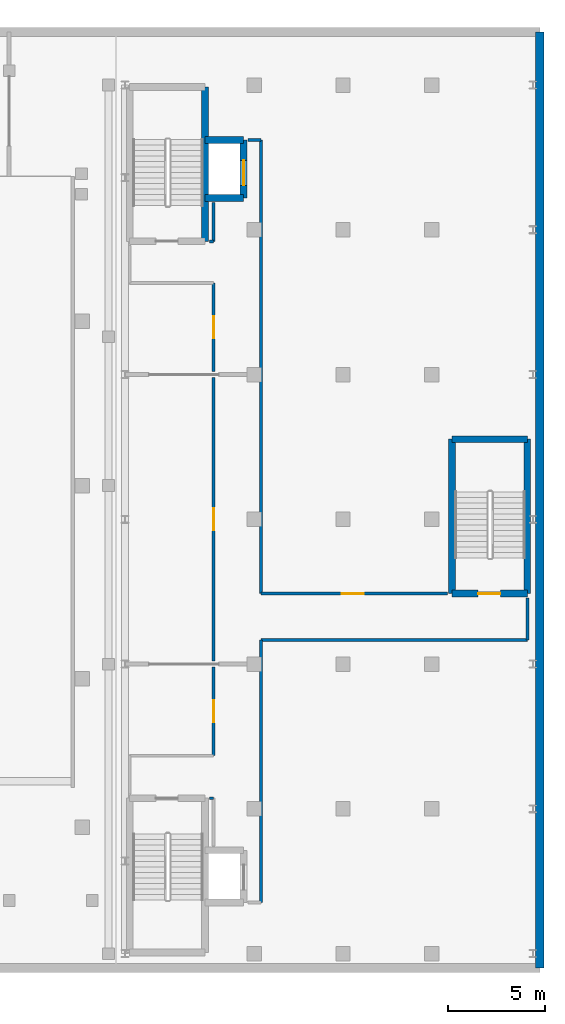
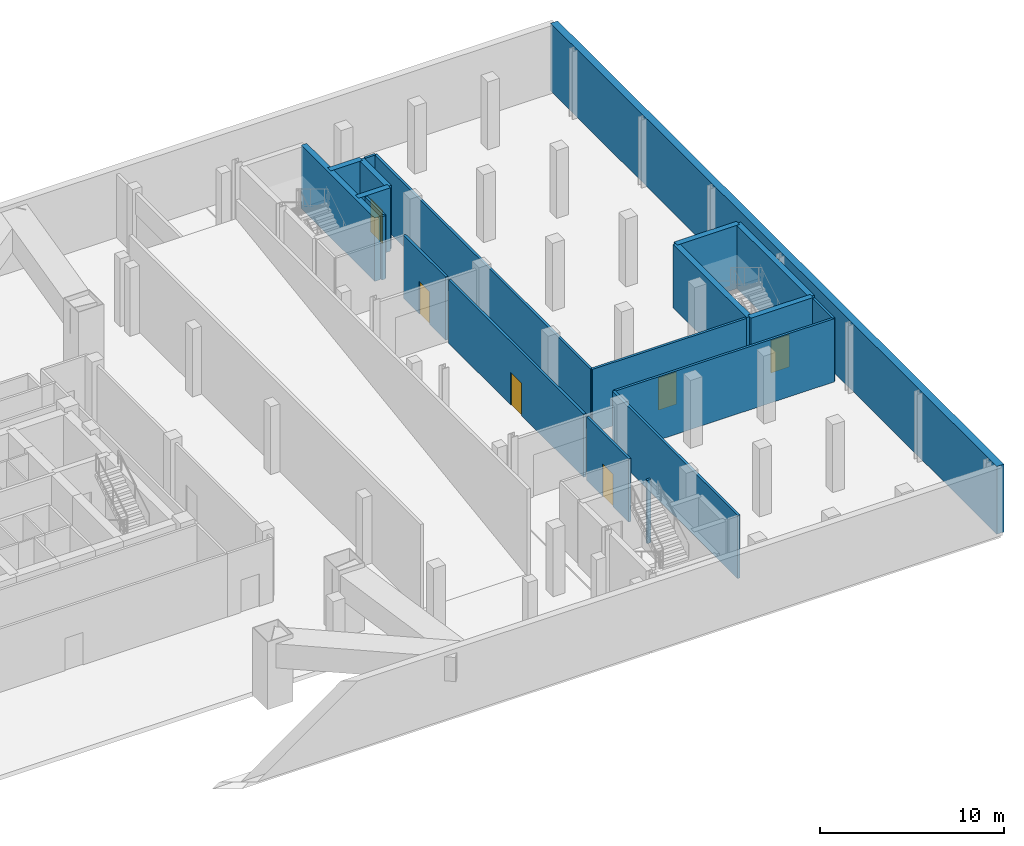
# One storey, part 10 of 14: 21 walls, 6 doors, 6 openings.
"""IFC4 building model written with IfcOpenShell, lengths in metres."""

import ifcopenshell
import ifcopenshell.guid

model = None  # the IFC model being written
_history = None  # IfcOwnerHistory: only IFC2X3 demands one
_inside = {}  # id of a spatial element -> (the spatial element, [elements in it])
_under = {}  # id of a project, library or spatial element -> (it, [spatial elements below it])
_declared = {}  # id of a project -> (the project, [libraries it declares])
_typed = {}  # id of a type object -> (the type object, [elements of that type])
_made_of = {}  # id of a material, layer set ... -> (it, [elements and type objects made of it])


def new_model(schema):
    """Start an empty IFC model of exactly this schema.

    Asked for "IFC4X3", IfcOpenShell would pick the latest addendum, in which some entities
    have other attributes; the version numbers below select the first issue.
    IFC2X3 requires an IfcOwnerHistory on every rooted entity: one is made here for all.
    """
    global model, _history
    if schema == "IFC4X3":
        model = ifcopenshell.file(schema_version=(4, 3, 0, 0))
    else:
        model = ifcopenshell.file(schema=schema)
    _inside.clear()
    _under.clear()
    _declared.clear()
    _typed.clear()
    _made_of.clear()
    _history = None
    if model.schema == "IFC2X3":
        org = make("IfcOrganization", Name="unknown")
        user = make(
            "IfcPersonAndOrganization",
            ThePerson=make("IfcPerson", FamilyName="unknown"),
            TheOrganization=org,
        )
        app = make(
            "IfcApplication",
            ApplicationDeveloper=org,
            Version="unknown",
            ApplicationFullName="unknown",
            ApplicationIdentifier="unknown",
        )
        _history = make(
            "IfcOwnerHistory",
            OwningUser=user,
            OwningApplication=app,
            ChangeAction="ADDED",
            CreationDate=0,
        )
    return model


def make(cls, **values):
    """One entity of the class cls with the attributes given. An attribute that is None is left unset."""
    return model.create_entity(
        cls, **{name: value for name, value in values.items() if value is not None}
    )


def rooted(cls, **values):
    """An entity with a GlobalId (a new one), such as an element, a storey or a relation."""
    return make(cls, GlobalId=ifcopenshell.guid.new(), OwnerHistory=_history, **values)


def si_unit(unit_type, name, prefix=None):
    """IfcSIUnit, for example si_unit("LENGTHUNIT", "METRE", prefix="MILLI")."""
    return make("IfcSIUnit", UnitType=unit_type, Prefix=prefix, Name=name)


def assignment(units):
    """IfcUnitAssignment: the units of a project."""
    return None if units is None else make("IfcUnitAssignment", Units=units)


def point(xyz):
    """IfcCartesianPoint."""
    return None if xyz is None else make("IfcCartesianPoint", Coordinates=xyz)


def direction(xyz):
    """IfcDirection."""
    return None if xyz is None else make("IfcDirection", DirectionRatios=xyz)


def frame(location, z_axis=None, x_axis=None):
    """IfcAxis2Placement3D, a coordinate frame: its origin and axes. An axis left out is left unset."""
    return make(
        "IfcAxis2Placement3D",
        Location=point(location),
        Axis=direction(z_axis),
        RefDirection=direction(x_axis),
    )


def frame_2d(location, x_axis=None):
    """IfcAxis2Placement2D, a coordinate frame in the plane: its origin and x axis."""
    return make(
        "IfcAxis2Placement2D", Location=point(location), RefDirection=direction(x_axis)
    )


def origin():
    """The frame at (0, 0, 0) with its axes left unset."""
    return frame((0.0, 0.0, 0.0))


def place(relative_to, where):
    """IfcLocalPlacement: puts the frame where relative to a parent placement (None: the world)."""
    return make(
        "IfcLocalPlacement", PlacementRelTo=relative_to, RelativePlacement=where
    )


def context(
    kind, dimensions, precision=None, world=None, true_north=None, identifier=None
):
    """IfcGeometricRepresentationContext, for example the 3D "Model" context."""
    return make(
        "IfcGeometricRepresentationContext",
        ContextIdentifier=identifier,
        ContextType=kind,
        CoordinateSpaceDimension=dimensions,
        Precision=precision,
        WorldCoordinateSystem=world,
        TrueNorth=true_north,
    )


def subcontext(parent, identifier, kind, view, scale=None):
    """IfcGeometricRepresentationSubContext, for example "Body" below "Model"."""
    return make(
        "IfcGeometricRepresentationSubContext",
        ContextIdentifier=identifier,
        ContextType=kind,
        ParentContext=parent,
        TargetScale=scale,
        TargetView=view,
    )


def project(units=None, contexts=None):
    """IfcProject with its units and contexts."""
    return rooted(
        "IfcProject",
        Name="project",
        RepresentationContexts=contexts,
        UnitsInContext=assignment(units),
    )


def spatial(cls, under=None, at=None, **own):
    """A site, building, storey or space (cls), placed at a placement, below another one or the project."""
    s = rooted(cls, ObjectPlacement=at, **own)
    if under is not None:
        _under.setdefault(under.id(), (under, []))[1].append(s)
    return s


def profile(cls, at=None, kind="AREA", **sizes):
    """A parametric profile (cls). Its sizes go by their IFC names, for example OverallWidth=200.0."""
    return make(cls, ProfileType=kind, Position=at, **sizes)


def rectangle(**sizes):
    """IfcRectangleProfileDef."""
    return profile("IfcRectangleProfileDef", **sizes)


def extrude(swept, where, along, depth):
    """IfcExtrudedAreaSolid: the profile swept, set in the frame where, extruded along a direction by depth."""
    return make(
        "IfcExtrudedAreaSolid",
        SweptArea=swept,
        Position=where,
        ExtrudedDirection=direction(along),
        Depth=depth,
    )


def shape(context_of_items, identifier, shape_type, items):
    """IfcShapeRepresentation: the items that make up one representation, for example the "Body"."""
    return make(
        "IfcShapeRepresentation",
        ContextOfItems=context_of_items,
        RepresentationIdentifier=identifier,
        RepresentationType=shape_type,
        Items=items,
    )


def material(Name=None, Category=None):
    """IfcMaterial."""
    return make("IfcMaterial", Name=Name, Category=Category)


def layer(
    of_material, thickness, ventilated=None, Name=None, Category=None, Priority=None
):
    """IfcMaterialLayer: one layer of a wall or slab, of a material (None: an air gap)."""
    return make(
        "IfcMaterialLayer",
        Material=of_material,
        LayerThickness=thickness,
        IsVentilated=ventilated,
        Name=Name,
        Category=Category,
        Priority=Priority,
    )


def layer_set(layers, Name=None):
    """IfcMaterialLayerSet."""
    return make("IfcMaterialLayerSet", MaterialLayers=layers, LayerSetName=Name)


def made_of(thing, what):
    """Note that an element or type object is made of a material, layer set ...; save() writes the relation."""
    if what is not None:
        _made_of.setdefault(what.id(), (what, []))[1].append(thing)
    return thing


def type_object(cls, material=None, **own):
    """A type object (cls), such as IfcWallType, which elements share."""
    return made_of(rooted(cls, **own), material)


def element(
    cls,
    number,
    at=None,
    inside=None,
    cuts=None,
    type_object=None,
    material=None,
    context=None,
    identifier="Body",
    shape_type=None,
    held_by="IfcProductDefinitionShape",
    body=None,
    shapes=None,
    **own,
):
    """One element of the class cls, such as IfcWall. Its Tag is "e" and its number.

    at: its placement. inside: the storey or other place that contains it. cuts: it is an
    opening in that element (IfcRelVoidsElement). A single representation is given by context,
    identifier, shape_type and body (its items); several are given by shapes. held_by: the class
    of the entity that holds the representations. save() writes the other relations.
    """
    e = rooted(cls, Tag="e%d" % number, ObjectPlacement=at, **own)
    if body is not None:
        shapes = [shape(context, identifier, shape_type, body)]
    if shapes is not None:
        e.Representation = make(held_by, Representations=shapes)
    if inside is not None:
        _inside.setdefault(inside.id(), (inside, []))[1].append(e)
    if cuts is not None:
        rooted(
            "IfcRelVoidsElement", RelatingBuildingElement=cuts, RelatedOpeningElement=e
        )
    if type_object is not None:
        _typed.setdefault(type_object.id(), (type_object, []))[1].append(e)
    return made_of(e, material)


def fill(opening, filler):
    """IfcRelFillsElement: the door or window that sits in an opening."""
    return rooted(
        "IfcRelFillsElement",
        RelatingOpeningElement=opening,
        RelatedBuildingElement=filler,
    )


def aggregate(whole, parts):
    """IfcRelAggregates: a whole, such as a stair, and the parts it consists of."""
    return rooted("IfcRelAggregates", RelatingObject=whole, RelatedObjects=parts)


def save(model, path):
    """Write the relations noted so far, then the file.

    IfcRelAggregates (storeys below a building ...), IfcRelContainedInSpatialStructure (elements
    in a storey), IfcRelDefinesByType, IfcRelAssociatesMaterial and IfcRelDeclares: one each for
    every whole, place, type object, material and project.
    """
    for whole, parts in _under.values():
        aggregate(whole, parts)
    for where, things in _inside.values():
        rooted(
            "IfcRelContainedInSpatialStructure",
            RelatedElements=things,
            RelatingStructure=where,
        )
    for kind, things in _typed.values():
        rooted("IfcRelDefinesByType", RelatedObjects=things, RelatingType=kind)
    for what, things in _made_of.values():
        rooted("IfcRelAssociatesMaterial", RelatedObjects=things, RelatingMaterial=what)
    for by, libraries in _declared.values():
        rooted("IfcRelDeclares", RelatingContext=by, RelatedDefinitions=libraries)
    model.write(path)


model = new_model("IFC4")

# Units and contexts
model_context = context("Model", 3, precision=1e-05, world=origin(), true_north=direction((0.0, 1.0)))
body_context = subcontext(model_context, "Body", "Model", "MODEL_VIEW")
ifc_project = project(units=[si_unit("LENGTHUNIT", "METRE"), si_unit("AREAUNIT", "SQUARE_METRE"), si_unit("VOLUMEUNIT", "CUBIC_METRE"), si_unit("PLANEANGLEUNIT", "RADIAN"), si_unit("MASSUNIT", "GRAM", prefix="KILO")], contexts=[model_context])

# Site, building, storey
site_placement = place(None, origin())
site = spatial("IfcSite", under=ifc_project, at=site_placement, CompositionType="ELEMENT")
building_placement = place(site_placement, origin())
building = spatial("IfcBuilding", under=site, at=building_placement, Name="Mersakhor Tower and Convention Hall", CompositionType="ELEMENT")
storey_placement = place(building_placement, frame((0.0, 0.0, -4.5)))
storey = spatial("IfcBuildingStorey", under=building, at=storey_placement, Name="B01", CompositionType="ELEMENT", Elevation=-4.5)

# Walls
ifc_material_1 = material(Name="Fire-rated gypsum board stud partition", Category="other")
ifc_layer_1 = layer(ifc_material_1, 0.14990234375)
ifc_layer_set_1 = layer_set([ifc_layer_1], Name="Fire-rated gypsum board stud partition")
wall_type_1 = type_object("IfcWallType", Name="WL-PRT-150", PredefinedType="PARTITIONING", material=ifc_layer_set_1)
wall_1_placement = place(storey_placement, frame((59.875, 40.14990234375, 0.0), z_axis=(0.0, 0.0, 1.0), x_axis=(1.0, 0.0, 0.0)))
element("IfcWall", 1, at=wall_1_placement, inside=storey, type_object=wall_type_1, Name="B01 Interior Partition Wall P-037", PredefinedType="PARTITIONING", context=body_context, shape_type="SweptSolid", body=[
    extrude(rectangle(XDim=0.22509765625, YDim=0.14990234375, at=frame_2d((0.112548828125, 0.0))), origin(), (0.0, 0.0, 1.0), 4.199951171875),
])
wall_2_placement = place(storey_placement, frame((60.10009765625, 40.14990234375, 0.0), z_axis=(0.0, 0.0, 1.0), x_axis=(0.0, 1.0, 0.0)))
element("IfcWall", 2, at=wall_2_placement, inside=storey, type_object=wall_type_1, Name="B01 Interior Partition Wall P-038", PredefinedType="PARTITIONING", context=body_context, shape_type="SweptSolid", body=[
    extrude(rectangle(XDim=2.025146484375, YDim=0.14990234375, at=frame_2d((1.0126953125, 0.0))), origin(), (0.0, 0.0, 1.0), 4.199951171875),
])
wall_3_placement = place(storey_placement, frame((61.875, 45.39990234375, 0.0), z_axis=(0.0, 0.0, 1.0), x_axis=(1.0, 0.0, 0.0)))
element("IfcWall", 3, at=wall_3_placement, inside=storey, type_object=wall_type_1, Name="B01 Interior Partition Wall P-039", PredefinedType="PARTITIONING", context=body_context, shape_type="SweptSolid", body=[
    extrude(rectangle(XDim=0.675048828125, YDim=0.14990234375, at=frame_2d((0.33740234375, 0.0))), origin(), (0.0, 0.0, 1.0), 4.199951171875),
])
wall_4_placement = place(storey_placement, frame((62.550048828125, 45.39990234375, 0.0), z_axis=(0.0, 0.0, 1.0), x_axis=(0.0, -1.0, 0.0)))
element("IfcWall", 4, at=wall_4_placement, inside=storey, type_object=wall_type_1, Name="B01 Interior Partition Wall P-040", PredefinedType="PARTITIONING", context=body_context, shape_type="SweptSolid", body=[
    extrude(rectangle(XDim=23.5, YDim=0.14990234375, at=frame_2d((11.75, 0.0))), origin(), (0.0, 0.0, 1.0), 4.199951171875),
])

# Wall, opening, door
wall_5_placement = place(storey_placement, frame((62.550048828125, 21.89990234375, 0.0), z_axis=(0.0, 0.0, 1.0), x_axis=(1.0, 0.0, 0.0)))
wall_5 = element("IfcWall", 5, at=wall_5_placement, inside=storey, type_object=wall_type_1, Name="B01 Interior Partition Wall P-041", PredefinedType="PARTITIONING", context=body_context, shape_type="SweptSolid", body=[
    extrude(rectangle(XDim=9.675048828125, YDim=0.14990234375, at=frame_2d((4.83740234375, 0.0))), origin(), (0.0, 0.0, 1.0), 4.199951171875),
])
opening_1_placement = place(wall_5_placement, frame((4.175048828125, 0.0, 0.0)))
opening_1 = element("IfcOpeningElement", 6, at=opening_1_placement, cuts=wall_5, Name="Opening SD-01", PredefinedType="OPENING", context=body_context, shape_type="SweptSolid", body=[
    extrude(rectangle(XDim=1.14990234375, YDim=2.14990234375, at=frame_2d((0.574951171875, 1.074951171875))), frame((0.0, 0.0849609375, 0.0), z_axis=(0.0, -1.0, 0.0), x_axis=(1.0, 0.0, 0.0)), (0.0, 0.0, 1.0), 0.169921875),
])
ifc_material_2 = material(Name="Fire-rated hardwood leaf and painted steel frame", Category="steel")
door_type_1 = type_object("IfcDoorType", Name="DR-INT-STAIR-115x215", OperationType="NOTDEFINED", PredefinedType="DOOR", material=ifc_material_2)
door_1_placement = place(opening_1_placement, origin())
door_1 = element("IfcDoor", 7, at=door_1_placement, inside=storey, type_object=door_type_1, Name="B01 Convention Basement Lift and Stair Lobby to Convention Car Parking Bays (22 Bays) Door", OperationType="SINGLE_SWING_LEFT", OverallHeight=2.14990234375, OverallWidth=1.14990234375, PredefinedType="DOOR", context=body_context, shape_type="SweptSolid", body=[
    extrude(rectangle(XDim=1.14990234375, YDim=2.14990234375, at=frame_2d((0.574951171875, 1.074951171875))), frame((0.0, 0.02490234375, 0.0), z_axis=(0.0, -1.0, 0.0), x_axis=(1.0, 0.0, 0.0)), (0.0, 0.0, 1.0), 0.050048828125),
])
fill(opening_1, door_1)

# Walls
wall_6_placement = place(storey_placement, frame((76.35009765625, 21.675048828125, 0.0), z_axis=(0.0, 0.0, 1.0), x_axis=(0.0, -1.0, 0.0)))
element("IfcWall", 8, at=wall_6_placement, inside=storey, type_object=wall_type_1, Name="B01 Interior Partition Wall P-042", PredefinedType="PARTITIONING", context=body_context, shape_type="SweptSolid", body=[
    extrude(rectangle(XDim=2.175048828125, YDim=0.14990234375, at=frame_2d((1.08740234375, 0.0))), origin(), (0.0, 0.0, 1.0), 4.199951171875),
])
wall_7_placement = place(storey_placement, frame((76.35009765625, 19.5, 0.0), z_axis=(0.0, 0.0, 1.0), x_axis=(-1.0, 0.0, 0.0)))
element("IfcWall", 9, at=wall_7_placement, inside=storey, type_object=wall_type_1, Name="B01 Interior Partition Wall P-043", PredefinedType="PARTITIONING", context=body_context, shape_type="SweptSolid", body=[
    extrude(rectangle(XDim=13.800048828125, YDim=0.14990234375, at=frame_2d((6.89990234375, 0.0))), origin(), (0.0, 0.0, 1.0), 4.199951171875),
])
wall_8_placement = place(storey_placement, frame((62.550048828125, 19.5, 0.0), z_axis=(0.0, 0.0, 1.0), x_axis=(0.0, -1.0, 0.0)))
element("IfcWall", 10, at=wall_8_placement, inside=storey, type_object=wall_type_1, Name="B01 Interior Partition Wall P-044", PredefinedType="PARTITIONING", context=body_context, shape_type="SweptSolid", body=[
    extrude(rectangle(XDim=13.60009765625, YDim=0.14990234375, at=frame_2d((6.800048828125, 0.0))), origin(), (0.0, 0.0, 1.0), 4.199951171875),
])
wall_9_placement = place(storey_placement, frame((60.10009765625, 11.300048828125, 0.0), z_axis=(0.0, 0.0, 1.0), x_axis=(-1.0, 0.0, 0.0)))
element("IfcWall", 11, at=wall_9_placement, inside=storey, type_object=wall_type_1, Name="B01 Interior Partition Wall P-047", PredefinedType="PARTITIONING", context=body_context, shape_type="SweptSolid", body=[
    extrude(rectangle(XDim=0.22509765625, YDim=0.14990234375, at=frame_2d((0.112548828125, 0.0))), origin(), (0.0, 0.0, 1.0), 4.199951171875),
])

# Wall, opening, door
wall_10_placement = place(storey_placement, frame((60.10009765625, 13.5, 0.0), z_axis=(0.0, 0.0, 1.0), x_axis=(0.0, 1.0, 0.0)))
wall_10 = element("IfcWall", 12, at=wall_10_placement, inside=storey, type_object=wall_type_1, Name="B01 Interior Partition Wall P-050", PredefinedType="PARTITIONING", context=body_context, shape_type="SweptSolid", body=[
    extrude(rectangle(XDim=4.60009765625, YDim=0.14990234375, at=frame_2d((2.300048828125, 0.0))), origin(), (0.0, 0.0, 1.0), 4.199951171875),
])
opening_2_placement = place(wall_10_placement, frame((1.72509765625, 0.0, 0.0)))
opening_2 = element("IfcOpeningElement", 13, at=opening_2_placement, cuts=wall_10, Name="Opening SD-01", PredefinedType="OPENING", context=body_context, shape_type="SweptSolid", body=[
    extrude(rectangle(XDim=1.14990234375, YDim=2.14990234375, at=frame_2d((0.574951171875, 1.074951171875))), frame((0.0, 0.0849609375, 0.0), z_axis=(0.0, -1.0, 0.0), x_axis=(1.0, 0.0, 0.0)), (0.0, 0.0, 1.0), 0.169921875),
])
door_2_placement = place(opening_2_placement, origin())
door_2 = element("IfcDoor", 14, at=door_2_placement, inside=storey, type_object=door_type_1, Name="B01 Convention Basement Lift and Stair Lobby to Two-Way Basement Drive Aisle AISLE-CNV-S Door", OperationType="SINGLE_SWING_RIGHT", OverallHeight=2.14990234375, OverallWidth=1.14990234375, PredefinedType="DOOR", context=body_context, shape_type="SweptSolid", body=[
    extrude(rectangle(XDim=1.14990234375, YDim=2.14990234375, at=frame_2d((0.574951171875, 1.074951171875))), frame((0.0, 0.02490234375, 0.0), z_axis=(0.0, -1.0, 0.0), x_axis=(1.0, 0.0, 0.0)), (0.0, 0.0, 1.0), 0.050048828125),
])
fill(opening_2, door_2)

wall_11_placement = place(storey_placement, frame((60.10009765625, 18.39990234375, 0.0), z_axis=(0.0, 0.0, 1.0), x_axis=(0.0, 1.0, 0.0)))
wall_11 = element("IfcWall", 15, at=wall_11_placement, inside=storey, type_object=wall_type_1, Name="B01 Interior Partition Wall P-051", PredefinedType="PARTITIONING", context=body_context, shape_type="SweptSolid", body=[
    extrude(rectangle(XDim=14.7001953125, YDim=0.14990234375, at=frame_2d((7.35009765625, 0.0))), origin(), (0.0, 0.0, 1.0), 4.199951171875),
])
opening_3_placement = place(wall_11_placement, frame((6.77490234375, 0.0, 0.0)))
opening_3 = element("IfcOpeningElement", 16, at=opening_3_placement, cuts=wall_11, Name="Opening SD-01", PredefinedType="OPENING", context=body_context, shape_type="SweptSolid", body=[
    extrude(rectangle(XDim=1.14990234375, YDim=2.14990234375, at=frame_2d((0.574951171875, 1.074951171875))), frame((0.0, 0.0849609375, 0.0), z_axis=(0.0, -1.0, 0.0), x_axis=(1.0, 0.0, 0.0)), (0.0, 0.0, 1.0), 0.169921875),
])
door_3_placement = place(opening_3_placement, origin())
door_3 = element("IfcDoor", 17, at=door_3_placement, inside=storey, type_object=door_type_1, Name="B01 Convention Basement Lift and Stair Lobby to Two-Way Basement Drive Aisle AISLE-CNV-M Door", OperationType="SINGLE_SWING_LEFT", OverallHeight=2.14990234375, OverallWidth=1.14990234375, PredefinedType="DOOR", context=body_context, shape_type="SweptSolid", body=[
    extrude(rectangle(XDim=1.14990234375, YDim=2.14990234375, at=frame_2d((0.574951171875, 1.074951171875))), frame((0.0, 0.02490234375, 0.0), z_axis=(0.0, -1.0, 0.0), x_axis=(1.0, 0.0, 0.0)), (0.0, 0.0, 1.0), 0.050048828125),
])
fill(opening_3, door_3)

wall_12_placement = place(storey_placement, frame((60.10009765625, 33.39990234375, 0.0), z_axis=(0.0, 0.0, 1.0), x_axis=(0.0, 1.0, 0.0)))
wall_12 = element("IfcWall", 18, at=wall_12_placement, inside=storey, type_object=wall_type_1, Name="B01 Interior Partition Wall P-052", PredefinedType="PARTITIONING", context=body_context, shape_type="SweptSolid", body=[
    extrude(rectangle(XDim=4.60009765625, YDim=0.14990234375, at=frame_2d((2.300048828125, 0.0))), origin(), (0.0, 0.0, 1.0), 4.199951171875),
])
opening_4_placement = place(wall_12_placement, frame((1.72509765625, 0.0, 0.0)))
opening_4 = element("IfcOpeningElement", 19, at=opening_4_placement, cuts=wall_12, Name="Opening SD-01", PredefinedType="OPENING", context=body_context, shape_type="SweptSolid", body=[
    extrude(rectangle(XDim=1.14990234375, YDim=2.14990234375, at=frame_2d((0.574951171875, 1.074951171875))), frame((0.0, 0.0849609375, 0.0), z_axis=(0.0, -1.0, 0.0), x_axis=(1.0, 0.0, 0.0)), (0.0, 0.0, 1.0), 0.169921875),
])
door_4_placement = place(opening_4_placement, origin())
door_4 = element("IfcDoor", 20, at=door_4_placement, inside=storey, type_object=door_type_1, Name="B01 Convention Basement Lift and Stair Lobby to Two-Way Basement Drive Aisle AISLE-CNV-N Door", OperationType="SINGLE_SWING_RIGHT", OverallHeight=2.14990234375, OverallWidth=1.14990234375, PredefinedType="DOOR", context=body_context, shape_type="SweptSolid", body=[
    extrude(rectangle(XDim=1.14990234375, YDim=2.14990234375, at=frame_2d((0.574951171875, 1.074951171875))), frame((0.0, 0.02490234375, 0.0), z_axis=(0.0, -1.0, 0.0), x_axis=(1.0, 0.0, 0.0)), (0.0, 0.0, 1.0), 0.050048828125),
])
fill(opening_4, door_4)

# Wall
ifc_material_3 = material(Name="Concrete C45/55", Category="concrete")
ifc_layer_2 = layer(ifc_material_3, 0.449951171875)
ifc_layer_set_2 = layer_set([ifc_layer_2], Name="Concrete C45/55")
wall_type_2 = type_object("IfcWallType", Name="WL-RET-450", PredefinedType="USERDEFINED", material=ifc_layer_set_2)
wall_13_placement = place(storey_placement, frame((77.0, 2.5, 0.0), z_axis=(0.0, 0.0, 1.0), x_axis=(0.0, 1.0, 0.0)))
element("IfcWall", 21, at=wall_13_placement, inside=storey, type_object=wall_type_2, Name="B01 Perimeter Retaining Wall E", ObjectType="RETAININGWALL", PredefinedType="USERDEFINED", context=body_context, shape_type="SweptSolid", body=[
    extrude(rectangle(XDim=48.5, YDim=0.449951171875, at=frame_2d((24.25, 0.0))), origin(), (0.0, 0.0, 1.0), 4.5),
])

# Wall, opening, door
ifc_material_4 = material(Name="Concrete C50/60", Category="concrete")
ifc_layer_3 = layer(ifc_material_4, 0.35009765625)
ifc_layer_set_3 = layer_set([ifc_layer_3], Name="Concrete C50/60")
wall_type_3 = type_object("IfcWallType", Name="WL-SHR-350", PredefinedType="SHEAR", material=ifc_layer_set_3)
wall_14_placement = place(storey_placement, frame((61.64990234375, 42.39990234375, 0.0), z_axis=(0.0, 0.0, 1.0), x_axis=(0.0, 1.0, 0.0)))
wall_14 = element("IfcWall", 22, at=wall_14_placement, inside=storey, type_object=wall_type_3, Name="B01 CVL2 Shaft Front Wall", PredefinedType="SHEAR", context=body_context, shape_type="SweptSolid", body=[
    extrude(rectangle(XDim=3.0, YDim=0.35009765625, at=frame_2d((1.5, 0.0))), origin(), (0.0, 0.0, 1.0), 4.199951171875),
])
opening_5_placement = place(wall_14_placement, frame((0.64990234375, 0.0, 0.0)))
opening_5 = element("IfcOpeningElement", 23, at=opening_5_placement, cuts=wall_14, Name="Opening LD-CVL2", PredefinedType="OPENING", context=body_context, shape_type="SweptSolid", body=[
    extrude(rectangle(XDim=1.300048828125, YDim=2.199951171875, at=frame_2d((0.64990234375, 1.10009765625))), frame((0.0, 0.18505859375, 0.0), z_axis=(0.0, -1.0, 0.0), x_axis=(1.0, 0.0, 0.0)), (0.0, 0.0, 1.0), 0.3701171875),
])
ifc_material_5 = material(Name="Fire-rated brushed stainless steel sliding landing door", Category="steel")
door_type_2 = type_object("IfcDoorType", Name="DR-LIFT-SLD-130x220", OperationType="NOTDEFINED", PredefinedType="DOOR", material=ifc_material_5)
door_5_placement = place(opening_5_placement, origin())
door_5 = element("IfcDoor", 24, at=door_5_placement, inside=storey, type_object=door_type_2, Name="B01 Convention Lift Landing Door LD-CVL2", OperationType="SLIDING_TO_LEFT", OverallHeight=2.199951171875, OverallWidth=1.300048828125, PredefinedType="DOOR", context=body_context, shape_type="SweptSolid", body=[
    extrude(rectangle(XDim=1.300048828125, YDim=2.199951171875, at=frame_2d((0.64990234375, 1.10009765625))), frame((0.0, 0.02490234375, 0.0), z_axis=(0.0, -1.0, 0.0), x_axis=(1.0, 0.0, 0.0)), (0.0, 0.0, 1.0), 0.050048828125),
])
fill(opening_5, door_5)

# Walls
for number, where, z_axis, x_axis, name in (
    (25, (59.64990234375, 45.39990234375, 0.0), (0.0, 0.0, 1.0), (1.0, 0.0, 0.0), "B01 CVL2 Shaft North Wall"),
    (26, (59.64990234375, 42.39990234375, 0.0), (0.0, 0.0, 1.0), (1.0, 0.0, 0.0), "B01 CVL2 Shaft South Wall"),
):
    element("IfcWall", number, at=place(storey_placement, frame(where, z_axis=z_axis, x_axis=x_axis)), inside=storey, type_object=wall_type_3, Name=name, PredefinedType="SHEAR", context=body_context, shape_type="SweptSolid", body=[
        extrude(rectangle(XDim=2.0, YDim=0.35009765625, at=frame_2d((1.0, 0.0))), origin(), (0.0, 0.0, 1.0), 4.199951171875),
    ])
for number, where, z_axis, x_axis, name in (
    (27, (59.64990234375, 48.14990234375, 0.0), (0.0, 0.0, 1.0), (0.0, -1.0, 0.0), "B01 CHST2 East Shear Wall"),
    (28, (76.35009765625, 29.89990234375, 0.0), (0.0, 0.0, 1.0), (0.0, -1.0, 0.0), "B01 CHST3 East Shear Wall"),
    (29, (72.449951171875, 21.89990234375, 0.0), (0.0, 0.0, 1.0), (0.0, 1.0, 0.0), "B01 CHST3 West Shear Wall"),
):
    element("IfcWall", number, at=place(storey_placement, frame(where, z_axis=z_axis, x_axis=x_axis)), inside=storey, type_object=wall_type_3, Name=name, PredefinedType="SHEAR", context=body_context, shape_type="SweptSolid", body=[
        extrude(rectangle(XDim=8.0, YDim=0.35009765625, at=frame_2d((4.0, 0.0))), origin(), (0.0, 0.0, 1.0), 4.199951171875),
    ])
wall_15_placement = place(storey_placement, frame((72.449951171875, 29.89990234375, 0.0), z_axis=(0.0, 0.0, 1.0), x_axis=(1.0, 0.0, 0.0)))
element("IfcWall", 30, at=wall_15_placement, inside=storey, type_object=wall_type_3, Name="B01 CHST3 North Shear Wall", PredefinedType="SHEAR", context=body_context, shape_type="SweptSolid", body=[
    extrude(rectangle(XDim=3.900146484375, YDim=0.35009765625, at=frame_2d((1.9501953125, 0.0))), origin(), (0.0, 0.0, 1.0), 4.199951171875),
])

# Wall, opening, door
wall_16_placement = place(storey_placement, frame((72.449951171875, 21.89990234375, 0.0), z_axis=(0.0, 0.0, 1.0), x_axis=(1.0, 0.0, 0.0)))
wall_16 = element("IfcWall", 31, at=wall_16_placement, inside=storey, type_object=wall_type_3, Name="B01 CHST3 South Shear Wall", PredefinedType="SHEAR", context=body_context, shape_type="SweptSolid", body=[
    extrude(rectangle(XDim=3.900146484375, YDim=0.35009765625, at=frame_2d((1.9501953125, 0.0))), origin(), (0.0, 0.0, 1.0), 4.199951171875),
])
opening_6_placement = place(wall_16_placement, frame((1.35009765625, 0.0, 0.0)))
opening_6 = element("IfcOpeningElement", 32, at=opening_6_placement, cuts=wall_16, Name="Opening SD-01", PredefinedType="OPENING", context=body_context, shape_type="SweptSolid", body=[
    extrude(rectangle(XDim=1.14990234375, YDim=2.14990234375, at=frame_2d((0.574951171875, 1.074951171875))), frame((0.0, 0.18505859375, 0.0), z_axis=(0.0, -1.0, 0.0), x_axis=(1.0, 0.0, 0.0)), (0.0, 0.0, 1.0), 0.3701171875),
])
door_6_placement = place(opening_6_placement, origin())
door_6 = element("IfcDoor", 33, at=door_6_placement, inside=storey, type_object=door_type_1, Name="B01 Convention Stair CH-ST3 Door", OperationType="SINGLE_SWING_LEFT", OverallHeight=2.14990234375, OverallWidth=1.14990234375, PredefinedType="DOOR", context=body_context, shape_type="SweptSolid", body=[
    extrude(rectangle(XDim=1.14990234375, YDim=2.14990234375, at=frame_2d((0.574951171875, 1.074951171875))), frame((0.0, 0.02490234375, 0.0), z_axis=(0.0, -1.0, 0.0), x_axis=(1.0, 0.0, 0.0)), (0.0, 0.0, 1.0), 0.050048828125),
])
fill(opening_6, door_6)

save(model, "model.ifc")
